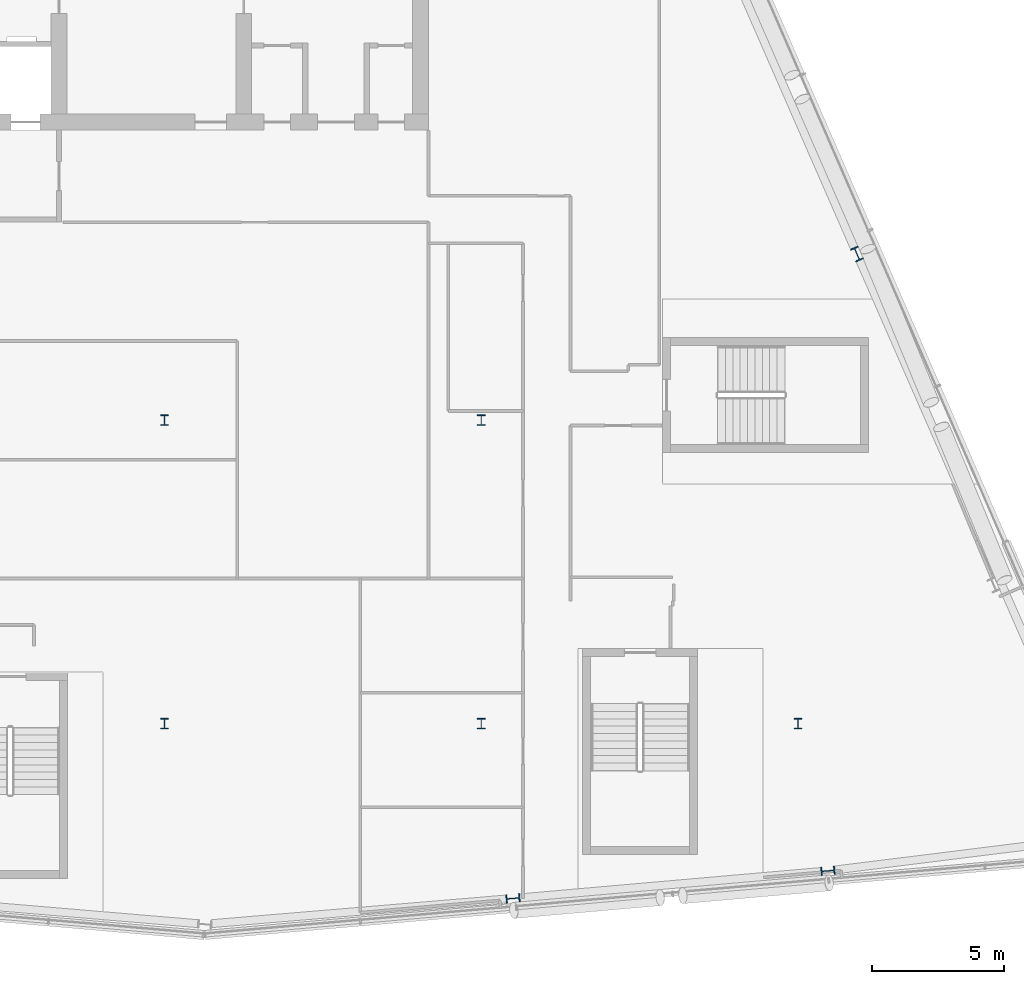
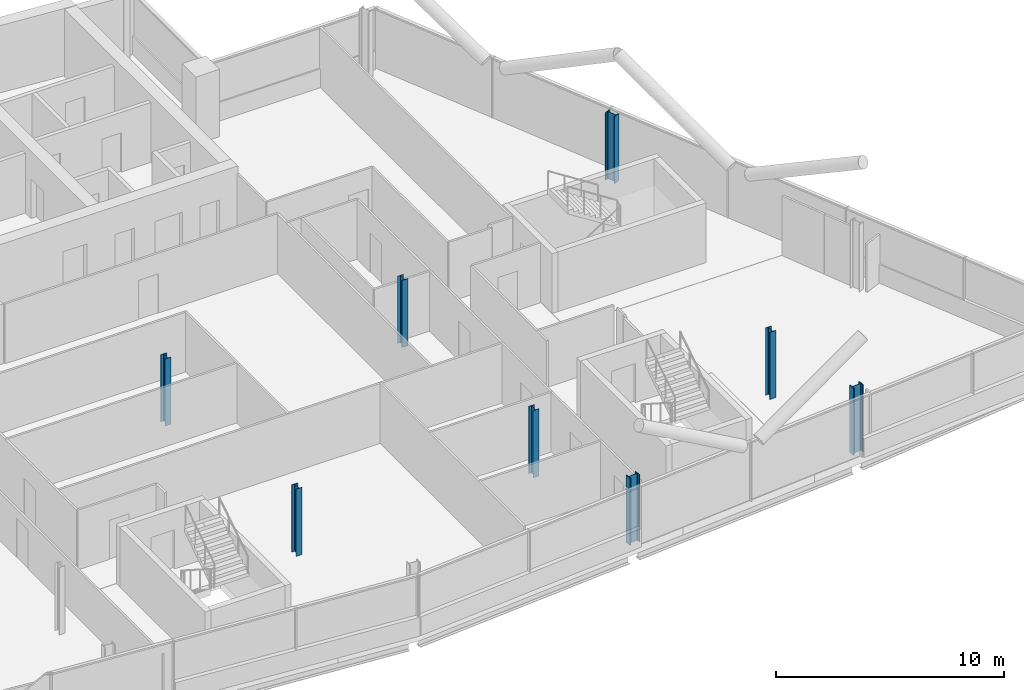
# One storey, part 2 of 27: 8 columns.
"""IFC4 building model written with IfcOpenShell, lengths in metres."""

from ifc_helpers import new_model, si_unit, direction, frame, origin, origin_2d, place, context, subcontext, project, spatial, i_section, extrude, material, material_profile, profile_set, type_object, element, save


model = new_model("IFC4")

# Units and contexts
model_context = context("Model", 3, precision=1e-05, world=origin(), true_north=direction((0.0, 1.0)))
body_context = subcontext(model_context, "Body", "Model", "MODEL_VIEW")
ifc_project = project(units=[si_unit("LENGTHUNIT", "METRE"), si_unit("AREAUNIT", "SQUARE_METRE"), si_unit("VOLUMEUNIT", "CUBIC_METRE"), si_unit("PLANEANGLEUNIT", "RADIAN"), si_unit("MASSUNIT", "GRAM", prefix="KILO")], contexts=[model_context])

# Site, building, storey
site_placement = place(None, origin())
site = spatial("IfcSite", under=ifc_project, at=site_placement, CompositionType="ELEMENT")
building_placement = place(site_placement, origin())
building = spatial("IfcBuilding", under=site, at=building_placement, Name="Wharfspan Tower", CompositionType="ELEMENT")
storey_placement = place(building_placement, frame((0.0, 0.0, 221.5)))
storey = spatial("IfcBuildingStorey", under=building, at=storey_placement, Name="L55", CompositionType="ELEMENT", Elevation=221.5)

# Columns
ifc_material = material(Name="Steel S355J2", Category="steel")
ifc_material_profile_1 = material_profile(ifc_material, i_section(OverallWidth=0.300049, OverallDepth=0.399902, WebThickness=0.013428, FlangeThickness=0.023926, FilletRadius=0.0271, at=origin_2d()))
ifc_profile_set_1 = profile_set([ifc_material_profile_1], Name="Steel S355J2")
column_type_1 = type_object("IfcColumnType", Name="Column HEB 400", PredefinedType="COLUMN", material=ifc_profile_set_1)
for number, where, z_axis, x_axis, name in (
    (1, (48.0, 11.5, 0.0), (0.0, 0.0, 1.0), (1.0, 0.0, 0.0), "Interior column I.1.3 L55"),
    (2, (60.0, 11.5, 0.0), (0.0, 0.0, 1.0), (1.0, 0.0, 0.0), "Interior column I.1.4 L55"),
    (3, (72.0, 11.5, 0.0), (0.0, 0.0, 1.0), (1.0, 0.0, 0.0), "Interior column I.1.5 L55"),
    (4, (48.0, 23.0, 0.0), (0.0, 0.0, 1.0), (1.0, 0.0, 0.0), "Interior column I.2.3 L55"),
    (5, (60.0, 23.0, 0.0), (0.0, 0.0, 1.0), (1.0, 0.0, 0.0), "Interior column I.2.4 L55"),
):
    element("IfcColumn", number, at=place(storey_placement, frame(where, z_axis=z_axis, x_axis=x_axis)), inside=storey, type_object=column_type_1, Name=name, PredefinedType="COLUMN", context=body_context, shape_type="SweptSolid", body=[
        extrude(i_section(OverallWidth=0.300049, OverallDepth=0.399902, WebThickness=0.013428, FlangeThickness=0.023926, FilletRadius=0.0271, at=origin_2d()), origin(), (0.0, 0.0, 1.0), 3.600098),
    ])
ifc_material_profile_2 = material_profile(ifc_material, i_section(OverallWidth=0.305908, OverallDepth=0.523926, WebThickness=0.020996, FlangeThickness=0.040039, FilletRadius=0.0271, at=origin_2d()))
ifc_profile_set_2 = profile_set([ifc_material_profile_2], Name="Steel S355J2")
column_type_2 = type_object("IfcColumnType", Name="Column HEM 500", PredefinedType="COLUMN", material=ifc_profile_set_2)
for number, where, z_axis, x_axis, name in (
    (6, (61.202393, 4.879395, 0.0), (0.0, 0.0, 1.0), (0.087156, -0.996197, 0.0), "Perimeter column PS2.1 L55"),
    (7, (73.135254, 5.92334, 0.0), (0.0, 0.0, 1.0), (0.087156, -0.996197, 0.0), "Perimeter column PS2.2 L55"),
    (8, (74.235352, 29.294922, 0.0), (0.0, 0.0, 1.0), (0.917072, 0.398727, 0.0), "Perimeter column PE.2 L55"),
):
    element("IfcColumn", number, at=place(storey_placement, frame(where, z_axis=z_axis, x_axis=x_axis)), inside=storey, type_object=column_type_2, Name=name, PredefinedType="COLUMN", context=body_context, shape_type="SweptSolid", body=[
        extrude(i_section(OverallWidth=0.305908, OverallDepth=0.523926, WebThickness=0.020996, FlangeThickness=0.040039, FilletRadius=0.0271, at=origin_2d()), origin(), (0.0, 0.0, 1.0), 3.600098),
    ])

save(model, "model.ifc")
